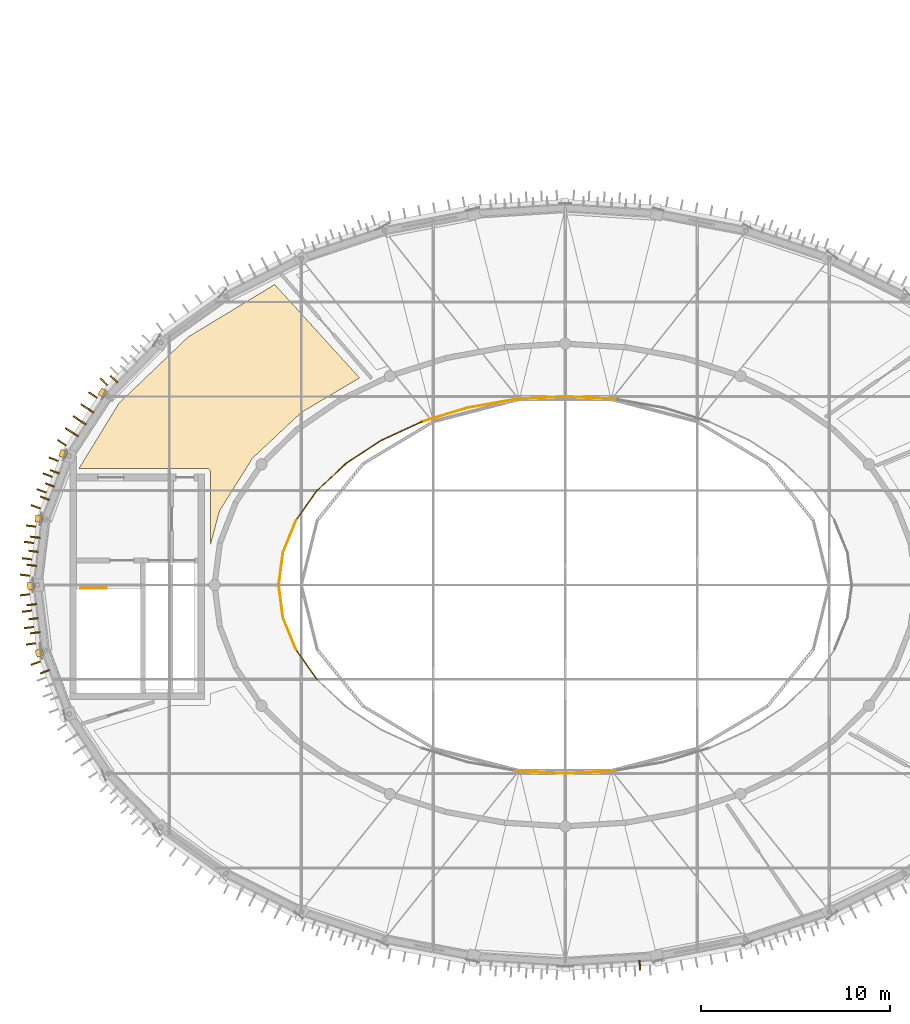
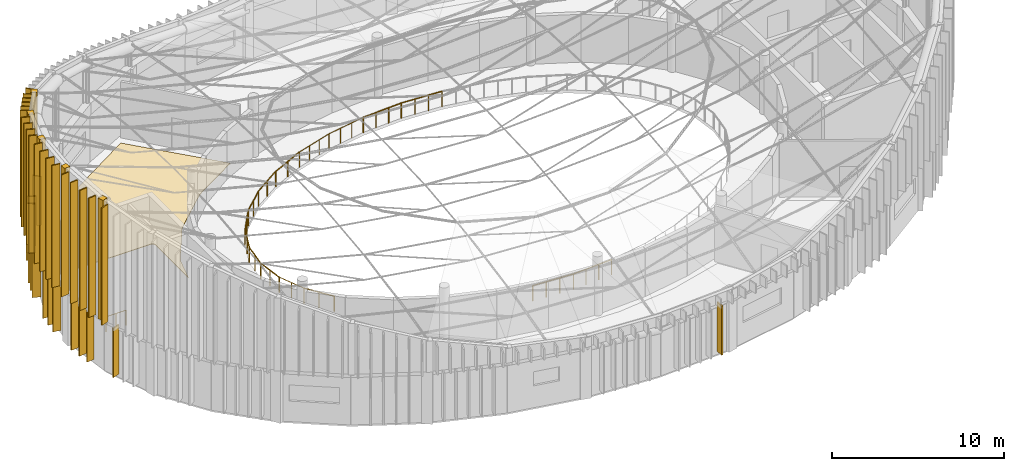
# One storey, part 31 of 36: 34 shading devices, 16 railings, 6 coverings.
"""IFC4 building model written with IfcOpenShell, lengths in metres."""

from ifc_helpers import new_model, si_unit, direction, frame, origin, origin_2d, place, context, subcontext, project, spatial, polyline, rectangle, circle, outline, extrude, material, layer, layer_set, type_object, element, save


model = new_model("IFC4")

# Units and contexts
model_context = context("Model", 3, precision=1e-05, world=origin(), true_north=direction((0.0, 1.0)))
body_context = subcontext(model_context, "Body", "Model", "MODEL_VIEW")
ifc_project = project(units=[si_unit("LENGTHUNIT", "METRE"), si_unit("AREAUNIT", "SQUARE_METRE"), si_unit("VOLUMEUNIT", "CUBIC_METRE"), si_unit("PLANEANGLEUNIT", "RADIAN"), si_unit("MASSUNIT", "GRAM", prefix="KILO")], contexts=[model_context])

# Site, building, storey
site_placement = place(None, origin())
site = spatial("IfcSite", under=ifc_project, at=site_placement, CompositionType="ELEMENT")
building_placement = place(site_placement, origin())
building = spatial("IfcBuilding", under=site, at=building_placement, Name="Tarnveldt Headland Concert Hall", CompositionType="ELEMENT")
storey_placement = place(building_placement, frame((0.0, 0.0, 22.800048828125)))
storey = spatial("IfcBuildingStorey", under=building, at=storey_placement, Name="L05", CompositionType="ELEMENT", Elevation=22.800048828125)

# Coverings
ifc_material_1 = material(Name="Polished coral-aggregate cementitious terrazzo flooring", Category="concrete")
ifc_layer_1 = layer(ifc_material_1, 0.034912109375, Name="Polished coral-aggregate cementitious terrazzo flooring", Category="concrete")
ifc_layer_set_1 = layer_set([ifc_layer_1], Name="Polished coral-aggregate cementitious terrazzo flooring")
covering_type_1 = type_object("IfcCoveringType", Name="CV-FLOR35", PredefinedType="FLOORING", material=ifc_layer_set_1)
covering_1_placement = place(storey_placement, origin())
element("IfcCovering", 1, at=covering_1_placement, inside=storey, type_object=covering_type_1, Name="Architectural flooring L05-09-134", PredefinedType="FLOORING", context=body_context, shape_type="SweptSolid", body=[
    extrude(outline(polyline([(68.0888671875, 70.435546875), (72.593505859375, 65.4853515625), (69.512451171875, 63.6572265625), (69.49609375, 63.646240234375), (69.481201171875, 63.633544921875), (66.99560546875, 61.300048828125), (66.991943359375, 61.300048828125), (66.991943359375, 61.296630859375), (66.92236328125, 61.231201171875), (66.91162109375, 61.22021484375), (66.901611328125, 61.208251953125), (66.892822265625, 61.195556640625), (65.177490234375, 58.454833984375), (65.1689453125, 58.439208984375), (65.161865234375, 58.422607421875), (65.15625, 58.40576171875), (64.679931640625, 56.620361328125), (64.679931640625, 60.5), (64.67919921875, 60.517578125), (64.676513671875, 60.53515625), (64.672119140625, 60.55224609375), (64.666259765625, 60.56884765625), (64.65869140625, 60.5849609375), (64.649658203125, 60.60009765625), (64.63916015625, 60.6142578125), (64.627197265625, 60.627197265625), (64.6142578125, 60.63916015625), (64.60009765625, 60.649658203125), (64.5849609375, 60.65869140625), (64.56884765625, 60.666259765625), (64.55224609375, 60.672119140625), (64.53515625, 60.676513671875), (64.517578125, 60.67919921875), (64.5, 60.679931640625), (57.706298828125, 60.679931640625), (59.82568359375, 64.135986328125), (63.498046875, 67.6552734375), (68.0888671875, 70.435546875)])), origin(), (0.0, 0.0, 1.0), 0.034912109375),
])
ifc_material_2 = material(Name="Coral-toned precast concrete C40/50", Category="concrete")
ifc_layer_2 = layer(ifc_material_2, 0.360107421875, Name="Coral-toned precast concrete C40/50", Category="concrete")
ifc_layer_set_2 = layer_set([ifc_layer_2], Name="Coral-toned precast concrete C40/50")
covering_type_2 = type_object("IfcCoveringType", Name="CV-JNT360", PredefinedType="CLADDING", material=ifc_layer_set_2)
covering_2_placement = place(storey_placement, frame((55.16259765625, 54.458740234375, 3.7998046875), z_axis=(0.0, 0.0, 1.0), x_axis=(-0.992588631597, -0.121522872021, 0.0)))
element("IfcCovering", 2, at=covering_2_placement, inside=storey, type_object=covering_type_2, Name="Precast facade joint closure pilaster L05-347", PredefinedType="CLADDING", context=body_context, shape_type="SweptSolid", body=[
    extrude(rectangle(XDim=0.3798828125, YDim=0.3798828125, at=origin_2d()), origin(), (0.0, 0.0, 1.0), 8.820068359375),
])
for number, where, z_axis, x_axis, name in (
    (3, (55.607177734375, 50.90771484375, 3.7998046875), (0.0, 0.0, 1.0), (-0.936304939415, -0.35118806988, 0.0), "Precast facade joint closure pilaster L05-348"),
    (4, (55.587890625, 58.014404296875, 3.7998046875), (0.0, 0.0, 1.0), (-0.992588631597, 0.121522872021, 0.0), "Precast facade joint closure pilaster L05-349"),
):
    element("IfcCovering", number, at=place(storey_placement, frame(where, z_axis=z_axis, x_axis=x_axis)), inside=storey, type_object=covering_type_2, Name=name, PredefinedType="CLADDING", context=body_context, shape_type="SweptSolid", body=[
        extrude(rectangle(XDim=0.3798828125, YDim=0.3798828125, at=origin_2d()), origin(), (0.0, 0.0, 1.0), 8.5546875),
    ])
covering_3_placement = place(storey_placement, frame((56.870361328125, 61.459716796875, 3.800048828125), z_axis=(0.0, 0.0, 1.0), x_axis=(-0.936304939415, 0.35118806988, 0.0)))
element("IfcCovering", 5, at=covering_3_placement, inside=storey, type_object=covering_type_2, Name="Precast facade joint closure pilaster L05-350", PredefinedType="CLADDING", context=body_context, shape_type="SweptSolid", body=[
    extrude(rectangle(XDim=0.3798828125, YDim=0.3798828125, at=origin_2d()), origin(), (0.0, 0.0, 1.0), 7.79052734375),
])
covering_4_placement = place(storey_placement, frame((58.966552734375, 64.685791015625, 3.7998046875), z_axis=(0.0, 0.0, 1.0), x_axis=(-0.837337261414, 0.546686665878, 0.0)))
element("IfcCovering", 6, at=covering_4_placement, inside=storey, type_object=covering_type_2, Name="Precast facade joint closure pilaster L05-352", PredefinedType="CLADDING", context=body_context, shape_type="SweptSolid", body=[
    extrude(rectangle(XDim=0.3798828125, YDim=0.3798828125, at=origin_2d()), origin(), (0.0, 0.0, 1.0), 6.6201171875),
])

# Railings
ifc_material_3 = material(Name="Marine stainless steel", Category="steel")
ifc_layer_3 = layer(ifc_material_3, 0.06005859375, Name="Marine stainless steel", Category="steel")
ifc_layer_set_3 = layer_set([ifc_layer_3], Name="Marine stainless steel")
railing_type = type_object("IfcRailingType", Name="RL-GRD110", PredefinedType="GUARDRAIL", material=ifc_layer_set_3)
railing_1_placement = place(storey_placement, frame((57.800048828125, 54.320068359375, 0.0)))
element("IfcRailing", 7, at=railing_1_placement, inside=storey, type_object=railing_type, Name="GUARD STR-C1-L04 top well edge", PredefinedType="GUARDRAIL", context=body_context, shape_type="SweptSolid", body=[
    extrude(circle(Radius=0.02392578125, at=origin_2d()), frame((0.0, 0.0, 1.076171875), z_axis=(1.0, 0.0, 0.0), x_axis=(0.0, 1.0, 0.0)), (0.0, 0.0, 1.0), 1.349853515625),
    extrude(circle(Radius=0.02099609375, at=origin_2d()), origin(), (0.0, 0.0, 1.0), 1.052001953125),
    extrude(circle(Radius=0.02099609375, at=origin_2d()), frame((0.6748046875, 0.0, 0.0)), (0.0, 0.0, 1.0), 1.052001953125),
    extrude(circle(Radius=0.02099609375, at=origin_2d()), frame((1.349853515625, 0.0, 0.0)), (0.0, 0.0, 1.0), 1.052001953125),
])
railing_2_placement = place(storey_placement, frame((86.139404296875, 64.34814453125, 0.0)))
element("IfcRailing", 8, at=railing_2_placement, inside=storey, type_object=railing_type, Name="GUARD Auditorium void guardrail L05 9", PredefinedType="GUARDRAIL", context=body_context, shape_type="SweptSolid", body=[
    extrude(circle(Radius=0.02392578125, at=origin_2d()), frame((0.0, 0.0, 1.076171875), z_axis=(-0.99834901745, 0.057439005536, 0.0), x_axis=(-0.057439005536, -0.99834901745, 0.0)), (0.0, 0.0, 1.0), 2.643798828125),
    extrude(circle(Radius=0.02099609375, at=origin_2d()), origin(), (0.0, 0.0, 1.0), 1.052001953125),
    extrude(circle(Radius=0.02099609375, at=origin_2d()), frame((-0.8798828125, 0.050537109375, 0.0)), (0.0, 0.0, 1.0), 1.052001953125),
    extrude(circle(Radius=0.02099609375, at=origin_2d()), frame((-1.759521484375, 0.101318359375, 0.0)), (0.0, 0.0, 1.0), 1.052001953125),
    extrude(circle(Radius=0.02099609375, at=origin_2d()), frame((-2.639404296875, 0.15185546875, 0.0)), (0.0, 0.0, 1.0), 1.052001953125),
])
railing_3_placement = place(storey_placement, frame((83.5, 64.5, 0.0)))
element("IfcRailing", 9, at=railing_3_placement, inside=storey, type_object=railing_type, Name="GUARD Auditorium void guardrail L05 10", PredefinedType="GUARDRAIL", context=body_context, shape_type="SweptSolid", body=[
    extrude(circle(Radius=0.02392578125, at=origin_2d()), frame((0.0, 0.0, 1.076171875), z_axis=(-0.99834901745, -0.057439005536, 0.0), x_axis=(0.057439005536, -0.99834901745, 0.0)), (0.0, 0.0, 1.0), 2.643798828125),
    extrude(circle(Radius=0.02099609375, at=origin_2d()), origin(), (0.0, 0.0, 1.0), 1.052001953125),
    extrude(circle(Radius=0.02099609375, at=origin_2d()), frame((-0.8798828125, -0.050537109375, 0.0)), (0.0, 0.0, 1.0), 1.052001953125),
    extrude(circle(Radius=0.02099609375, at=origin_2d()), frame((-1.759521484375, -0.101318359375, 0.0)), (0.0, 0.0, 1.0), 1.052001953125),
    extrude(circle(Radius=0.02099609375, at=origin_2d()), frame((-2.639404296875, -0.15185546875, 0.0)), (0.0, 0.0, 1.0), 1.052001953125),
])
railing_4_placement = place(storey_placement, frame((80.860595703125, 64.34814453125, 0.0)))
element("IfcRailing", 10, at=railing_4_placement, inside=storey, type_object=railing_type, Name="GUARD Auditorium void guardrail L05 11", PredefinedType="GUARDRAIL", context=body_context, shape_type="SweptSolid", body=[
    extrude(circle(Radius=0.02392578125, at=origin_2d()), frame((0.0, 0.0, 1.076171875), z_axis=(-0.984814752515, -0.173608476834, 0.0), x_axis=(0.173608476834, -0.984814752515, 0.0)), (0.0, 0.0, 1.0), 2.598876953125),
    extrude(circle(Radius=0.02099609375, at=origin_2d()), origin(), (0.0, 0.0, 1.0), 1.052001953125),
    extrude(circle(Radius=0.02099609375, at=origin_2d()), frame((-0.85302734375, -0.150390625, 0.0)), (0.0, 0.0, 1.0), 1.052001953125),
    extrude(circle(Radius=0.02099609375, at=origin_2d()), frame((-1.706298828125, -0.30078125, 0.0)), (0.0, 0.0, 1.0), 1.052001953125),
    extrude(circle(Radius=0.02099609375, at=origin_2d()), frame((-2.559326171875, -0.451171875, 0.0)), (0.0, 0.0, 1.0), 1.052001953125),
])
railing_5_placement = place(storey_placement, frame((78.30126953125, 63.89697265625, 0.0)))
element("IfcRailing", 11, at=railing_5_placement, inside=storey, type_object=railing_type, Name="GUARD Auditorium void guardrail L05 12", PredefinedType="GUARDRAIL", context=body_context, shape_type="SweptSolid", body=[
    extrude(circle(Radius=0.02392578125, at=origin_2d()), frame((0.0, 0.0, 1.076171875), z_axis=(-0.956037133001, -0.293245631381, 0.0), x_axis=(0.293245631381, -0.956037133001, 0.0)), (0.0, 0.0, 1.0), 2.51171875),
    extrude(circle(Radius=0.02099609375, at=origin_2d()), origin(), (0.0, 0.0, 1.0), 1.052001953125),
    extrude(circle(Radius=0.02099609375, at=origin_2d()), frame((-0.800537109375, -0.24560546875, 0.0)), (0.0, 0.0, 1.0), 1.052001953125),
    extrude(circle(Radius=0.02099609375, at=origin_2d()), frame((-1.600830078125, -0.490966796875, 0.0)), (0.0, 0.0, 1.0), 1.052001953125),
    extrude(circle(Radius=0.02099609375, at=origin_2d()), frame((-2.4013671875, -0.736572265625, 0.0)), (0.0, 0.0, 1.0), 1.052001953125),
])
railing_6_placement = place(storey_placement, frame((75.89990234375, 63.160400390625, 0.0)))
element("IfcRailing", 12, at=railing_6_placement, inside=storey, type_object=railing_type, Name="GUARD Auditorium void guardrail L05 13", PredefinedType="GUARDRAIL", context=body_context, shape_type="SweptSolid", body=[
    extrude(circle(Radius=0.02392578125, at=origin_2d()), frame((0.0, 0.0, 1.076171875), z_axis=(-0.908234283008, -0.418462049854, 0.0), x_axis=(0.418462049854, -0.908234283008, 0.0)), (0.0, 0.0, 1.0), 2.3896484375),
    extrude(circle(Radius=0.02099609375, at=origin_2d()), origin(), (0.0, 0.0, 1.0), 1.052001953125),
    extrude(circle(Radius=0.02099609375, at=origin_2d()), frame((-1.085205078125, -0.5, 0.0)), (0.0, 0.0, 1.0), 1.052001953125),
    extrude(circle(Radius=0.02099609375, at=origin_2d()), frame((-2.17041015625, -1.0, 0.0)), (0.0, 0.0, 1.0), 1.052001953125),
])
railing_7_placement = place(storey_placement, frame((73.7294921875, 62.160400390625, 0.0)))
element("IfcRailing", 13, at=railing_7_placement, inside=storey, type_object=railing_type, Name="GUARD Auditorium void guardrail L05 14", PredefinedType="GUARDRAIL", context=body_context, shape_type="SweptSolid", body=[
    extrude(circle(Radius=0.02392578125, at=origin_2d()), frame((0.0, 0.0, 1.076171875), z_axis=(-0.835418397825, -0.549614501788, 0.0), x_axis=(0.549614501788, -0.835418397825, 0.0)), (0.0, 0.0, 1.0), 2.242431640625),
    extrude(circle(Radius=0.02099609375, at=origin_2d()), origin(), (0.0, 0.0, 1.0), 1.052001953125),
    extrude(circle(Radius=0.02099609375, at=origin_2d()), frame((-0.9365234375, -0.6162109375, 0.0)), (0.0, 0.0, 1.0), 1.052001953125),
    extrude(circle(Radius=0.02099609375, at=origin_2d()), frame((-1.873291015625, -1.232421875, 0.0)), (0.0, 0.0, 1.0), 1.052001953125),
])
railing_8_placement = place(storey_placement, frame((71.856201171875, 60.927978515625, 0.0)))
element("IfcRailing", 14, at=railing_8_placement, inside=storey, type_object=railing_type, Name="GUARD Auditorium void guardrail L05 15", PredefinedType="GUARDRAIL", context=body_context, shape_type="SweptSolid", body=[
    extrude(circle(Radius=0.02392578125, at=origin_2d()), frame((0.0, 0.0, 1.076171875), z_axis=(-0.728773712747, -0.684754609776, 0.0), x_axis=(0.684754609776, -0.728773712747, 0.0)), (0.0, 0.0, 1.0), 2.08544921875),
    extrude(circle(Radius=0.02099609375, at=origin_2d()), origin(), (0.0, 0.0, 1.0), 1.052001953125),
    extrude(circle(Radius=0.02099609375, at=origin_2d()), frame((-0.759765625, -0.7138671875, 0.0)), (0.0, 0.0, 1.0), 1.052001953125),
    extrude(circle(Radius=0.02099609375, at=origin_2d()), frame((-1.519775390625, -1.427978515625, 0.0)), (0.0, 0.0, 1.0), 1.052001953125),
])
railing_9_placement = place(storey_placement, frame((70.33642578125, 59.5, 0.0)))
element("IfcRailing", 15, at=railing_9_placement, inside=storey, type_object=railing_type, Name="GUARD Auditorium void guardrail L05 16", PredefinedType="GUARDRAIL", context=body_context, shape_type="SweptSolid", body=[
    extrude(circle(Radius=0.02392578125, at=origin_2d()), frame((0.0, 0.0, 1.076171875), z_axis=(-0.578216724182, -0.815883214606, 0.0), x_axis=(0.815883214606, -0.578216724182, 0.0)), (0.0, 0.0, 1.0), 1.936279296875),
    extrude(circle(Radius=0.02099609375, at=origin_2d()), origin(), (0.0, 0.0, 1.0), 1.052001953125),
    extrude(circle(Radius=0.02099609375, at=origin_2d()), frame((-0.559814453125, -0.7900390625, 0.0)), (0.0, 0.0, 1.0), 1.052001953125),
    extrude(circle(Radius=0.02099609375, at=origin_2d()), frame((-1.11962890625, -1.579833984375, 0.0)), (0.0, 0.0, 1.0), 1.052001953125),
])
railing_10_placement = place(storey_placement, frame((69.216796875, 57.920166015625, 0.0)))
element("IfcRailing", 16, at=railing_10_placement, inside=storey, type_object=railing_type, Name="GUARD Auditorium void guardrail L05 17", PredefinedType="GUARDRAIL", context=body_context, shape_type="SweptSolid", body=[
    extrude(circle(Radius=0.02392578125, at=origin_2d()), frame((0.0, 0.0, 1.076171875), z_axis=(-0.377241429706, -0.926114951674, 0.0), x_axis=(0.926114951674, -0.377241429706, 0.0)), (0.0, 0.0, 1.0), 1.81787109375),
    extrude(circle(Radius=0.02099609375, at=origin_2d()), origin(), (0.0, 0.0, 1.0), 1.052001953125),
    extrude(circle(Radius=0.02099609375, at=origin_2d()), frame((-0.3427734375, -0.841796875, 0.0)), (0.0, 0.0, 1.0), 1.052001953125),
    extrude(circle(Radius=0.02099609375, at=origin_2d()), frame((-0.685791015625, -1.68359375, 0.0)), (0.0, 0.0, 1.0), 1.052001953125),
])
railing_11_placement = place(storey_placement, frame((68.531005859375, 56.236572265625, 0.0)))
element("IfcRailing", 17, at=railing_11_placement, inside=storey, type_object=railing_type, Name="GUARD Auditorium void guardrail L05 18", PredefinedType="GUARDRAIL", context=body_context, shape_type="SweptSolid", body=[
    extrude(circle(Radius=0.02392578125, at=origin_2d()), frame((0.0, 0.0, 1.076171875), z_axis=(-0.131835089673, -0.991271662629, 0.0), x_axis=(0.991271662629, -0.131835089673, 0.0)), (0.0, 0.0, 1.0), 1.751953125),
    extrude(circle(Radius=0.02099609375, at=origin_2d()), origin(), (0.0, 0.0, 1.0), 1.052001953125),
    extrude(circle(Radius=0.02099609375, at=origin_2d()), frame((-0.115478515625, -0.8681640625, 0.0)), (0.0, 0.0, 1.0), 1.052001953125),
    extrude(circle(Radius=0.02099609375, at=origin_2d()), frame((-0.23095703125, -1.736572265625, 0.0)), (0.0, 0.0, 1.0), 1.052001953125),
])
railing_12_placement = place(storey_placement, frame((68.300048828125, 54.5, 0.0)))
element("IfcRailing", 18, at=railing_12_placement, inside=storey, type_object=railing_type, Name="GUARD Auditorium void guardrail L05 19", PredefinedType="GUARDRAIL", context=body_context, shape_type="SweptSolid", body=[
    extrude(circle(Radius=0.02392578125, at=origin_2d()), frame((0.0, 0.0, 1.076171875), z_axis=(0.131835089673, -0.991271662629, 0.0), x_axis=(0.991271662629, 0.131835089673, 0.0)), (0.0, 0.0, 1.0), 1.751953125),
    extrude(circle(Radius=0.02099609375, at=origin_2d()), origin(), (0.0, 0.0, 1.0), 1.052001953125),
    extrude(circle(Radius=0.02099609375, at=origin_2d()), frame((0.115478515625, -0.8681640625, 0.0)), (0.0, 0.0, 1.0), 1.052001953125),
    extrude(circle(Radius=0.02099609375, at=origin_2d()), frame((0.23095703125, -1.736572265625, 0.0)), (0.0, 0.0, 1.0), 1.052001953125),
])
railing_13_placement = place(storey_placement, frame((68.531005859375, 52.763427734375, 0.0)))
element("IfcRailing", 19, at=railing_13_placement, inside=storey, type_object=railing_type, Name="GUARD Auditorium void guardrail L05 20", PredefinedType="GUARDRAIL", context=body_context, shape_type="SweptSolid", body=[
    extrude(circle(Radius=0.02392578125, at=origin_2d()), frame((0.0, 0.0, 1.076171875), z_axis=(0.377241429706, -0.926114951674, 0.0), x_axis=(0.926114951674, 0.377241429706, 0.0)), (0.0, 0.0, 1.0), 1.81787109375),
    extrude(circle(Radius=0.02099609375, at=origin_2d()), origin(), (0.0, 0.0, 1.0), 1.052001953125),
    extrude(circle(Radius=0.02099609375, at=origin_2d()), frame((0.3427734375, -0.841796875, 0.0)), (0.0, 0.0, 1.0), 1.052001953125),
    extrude(circle(Radius=0.02099609375, at=origin_2d()), frame((0.685791015625, -1.68359375, 0.0)), (0.0, 0.0, 1.0), 1.052001953125),
])
railing_14_placement = place(storey_placement, frame((69.216796875, 51.079833984375, 0.0)))
element("IfcRailing", 20, at=railing_14_placement, inside=storey, type_object=railing_type, Name="GUARD Auditorium void guardrail L05 21", PredefinedType="GUARDRAIL", context=body_context, shape_type="SweptSolid", body=[
    extrude(circle(Radius=0.02392578125, at=origin_2d()), frame((0.0, 0.0, 1.076171875), z_axis=(0.578216724182, -0.815883214606, 0.0), x_axis=(0.815883214606, 0.578216724182, 0.0)), (0.0, 0.0, 1.0), 1.936279296875),
    extrude(circle(Radius=0.02099609375, at=origin_2d()), origin(), (0.0, 0.0, 1.0), 1.052001953125),
    extrude(circle(Radius=0.02099609375, at=origin_2d()), frame((0.559814453125, -0.7900390625, 0.0)), (0.0, 0.0, 1.0), 1.052001953125),
    extrude(circle(Radius=0.02099609375, at=origin_2d()), frame((1.11962890625, -1.579833984375, 0.0)), (0.0, 0.0, 1.0), 1.052001953125),
])
railing_15_placement = place(storey_placement, frame((80.860595703125, 44.65185546875, 0.0)))
element("IfcRailing", 21, at=railing_15_placement, inside=storey, type_object=railing_type, Name="GUARD Auditorium void guardrail L05 27", PredefinedType="GUARDRAIL", context=body_context, shape_type="SweptSolid", body=[
    extrude(circle(Radius=0.02392578125, at=origin_2d()), frame((0.0, 0.0, 1.076171875), z_axis=(0.99834901745, -0.057439005536, 0.0), x_axis=(0.057439005536, 0.99834901745, 0.0)), (0.0, 0.0, 1.0), 2.643798828125),
    extrude(circle(Radius=0.02099609375, at=origin_2d()), origin(), (0.0, 0.0, 1.0), 1.052001953125),
    extrude(circle(Radius=0.02099609375, at=origin_2d()), frame((0.8798828125, -0.050537109375, 0.0)), (0.0, 0.0, 1.0), 1.052001953125),
    extrude(circle(Radius=0.02099609375, at=origin_2d()), frame((1.759521484375, -0.101318359375, 0.0)), (0.0, 0.0, 1.0), 1.052001953125),
    extrude(circle(Radius=0.02099609375, at=origin_2d()), frame((2.639404296875, -0.15185546875, 0.0)), (0.0, 0.0, 1.0), 1.052001953125),
])
railing_16_placement = place(storey_placement, frame((83.5, 44.5, 0.0)))
element("IfcRailing", 22, at=railing_16_placement, inside=storey, type_object=railing_type, Name="GUARD Auditorium void guardrail L05 28", PredefinedType="GUARDRAIL", context=body_context, shape_type="SweptSolid", body=[
    extrude(circle(Radius=0.02392578125, at=origin_2d()), frame((0.0, 0.0, 1.076171875), z_axis=(0.99834901745, 0.057439005536, 0.0), x_axis=(-0.057439005536, 0.99834901745, 0.0)), (0.0, 0.0, 1.0), 2.643798828125),
    extrude(circle(Radius=0.02099609375, at=origin_2d()), origin(), (0.0, 0.0, 1.0), 1.052001953125),
    extrude(circle(Radius=0.02099609375, at=origin_2d()), frame((0.8798828125, 0.050537109375, 0.0)), (0.0, 0.0, 1.0), 1.052001953125),
    extrude(circle(Radius=0.02099609375, at=origin_2d()), frame((1.759521484375, 0.101318359375, 0.0)), (0.0, 0.0, 1.0), 1.052001953125),
    extrude(circle(Radius=0.02099609375, at=origin_2d()), frame((2.639404296875, 0.15185546875, 0.0)), (0.0, 0.0, 1.0), 1.052001953125),
])

# Shading devices
ifc_material_4 = material(Name="Terracotta-anodised aluminium EN AW-6063-T6", Category="masonry")
shading_device_type = type_object("IfcShadingDeviceType", Name="SD-FIN520", PredefinedType="USERDEFINED", material=ifc_material_4)
for number, where, z_axis, x_axis, name in (
    (23, (59.5654296875, 65.416748046875, 0.25), (0.0, 0.0, 1.0), (-0.714106238843, 0.700037341608, 0.0), "Drum terracotta acoustic solar fin L05-248"),
    (24, (58.2802734375, 63.7763671875, 0.25), (0.0, 0.0, 1.0), (-0.837337261414, 0.546686665878, 0.0), "Drum terracotta acoustic solar fin L05-249"),
    (25, (57.870361328125, 63.1484375, 0.25), (0.0, 0.0, 1.0), (-0.837337261414, 0.546686665878, 0.0), "Drum terracotta acoustic solar fin L05-250"),
    (26, (57.46044921875, 62.5205078125, 0.25), (0.0, 0.0, 1.0), (-0.837337261414, 0.546686665878, 0.0), "Drum terracotta acoustic solar fin L05-251"),
    (27, (56.429443359375, 60.505615234375, 0.25), (0.0, 0.0, 1.0), (-0.936304939415, 0.35118806988, 0.0), "Drum terracotta acoustic solar fin L05-252"),
    (28, (56.166015625, 59.80322265625, 0.25), (0.0, 0.0, 1.0), (-0.936304939415, 0.35118806988, 0.0), "Drum terracotta acoustic solar fin L05-253"),
    (29, (55.902587890625, 59.10107421875, 0.25), (0.0, 0.0, 1.0), (-0.936304939415, 0.35118806988, 0.0), "Drum terracotta acoustic solar fin L05-254"),
    (30, (55.389404296875, 57.03173828125, 0.25), (0.0, 0.0, 1.0), (-0.992588631597, 0.121522872021, 0.0), "Drum terracotta acoustic solar fin L05-255"),
    (31, (55.29833984375, 56.287353515625, 0.25), (0.0, 0.0, 1.0), (-0.992588631597, 0.121522872021, 0.0), "Drum terracotta acoustic solar fin L05-256"),
    (32, (55.20703125, 55.542724609375, 0.25), (0.0, 0.0, 1.0), (-0.992588631597, 0.121522872021, 0.0), "Drum terracotta acoustic solar fin L05-257"),
    (33, (55.20703125, 53.457275390625, 0.25), (0.0, 0.0, 1.0), (-0.992588631597, -0.121522872021, 0.0), "Drum terracotta acoustic solar fin L05-258"),
    (34, (55.29833984375, 52.712646484375, 0.25), (0.0, 0.0, 1.0), (-0.992588631597, -0.121522872021, 0.0), "Drum terracotta acoustic solar fin L05-259"),
    (35, (55.389404296875, 51.96826171875, 0.25), (0.0, 0.0, 1.0), (-0.992588631597, -0.121522872021, 0.0), "Drum terracotta acoustic solar fin L05-260"),
    (36, (55.902587890625, 49.89892578125, 0.25), (0.0, 0.0, 1.0), (-0.936304939415, -0.35118806988, 0.0), "Drum terracotta acoustic solar fin L05-261"),
    (37, (87.4541015625, 34.328857421875, 0.25), (0.0, 0.0, 1.0), (0.062442138662, -0.998048585651, 0.0), "Drum terracotta acoustic solar fin L05-289"),
):
    element("IfcShadingDevice", number, at=place(storey_placement, frame(where, z_axis=z_axis, x_axis=x_axis)), inside=storey, type_object=shading_device_type, Name=name, ObjectType="FIN", PredefinedType="USERDEFINED", context=body_context, shape_type="SweptSolid", body=[
        extrude(rectangle(XDim=0.52001953125, YDim=0.080078125, at=origin_2d()), origin(), (0.0, 0.0, 1.0), 3.5),
    ])
shading_device_1_placement = place(storey_placement, frame((59.020751953125, 65.2861328125, 3.85009765625), z_axis=(0.0, 0.0, 1.0), x_axis=(-0.714106238843, 0.700037341608, 0.0)))
element("IfcShadingDevice", 38, at=shading_device_1_placement, inside=storey, type_object=shading_device_type, Name="Crown terracotta louvre fin 15-5", ObjectType="FIN", PredefinedType="USERDEFINED", context=body_context, shape_type="SweptSolid", body=[
    extrude(rectangle(XDim=0.52001953125, YDim=0.080078125, at=origin_2d()), origin(), (0.0, 0.0, 1.0), 6.346435546875),
])
shading_device_2_placement = place(storey_placement, frame((58.4462890625, 64.574951171875, 3.85009765625), z_axis=(0.0, 0.0, 1.0), x_axis=(-0.837337261414, 0.546686665878, 0.0)))
element("IfcShadingDevice", 39, at=shading_device_2_placement, inside=storey, type_object=shading_device_type, Name="Crown terracotta louvre fin 16-1", ObjectType="FIN", PredefinedType="USERDEFINED", context=body_context, shape_type="SweptSolid", body=[
    extrude(rectangle(XDim=0.52001953125, YDim=0.080078125, at=origin_2d()), origin(), (0.0, 0.0, 1.0), 6.607177734375),
])
shading_device_3_placement = place(storey_placement, frame((58.03369140625, 63.943115234375, 3.849853515625), z_axis=(0.0, 0.0, 1.0), x_axis=(-0.837337261414, 0.546686665878, 0.0)))
element("IfcShadingDevice", 40, at=shading_device_3_placement, inside=storey, type_object=shading_device_type, Name="Crown terracotta louvre fin 16-2", ObjectType="FIN", PredefinedType="USERDEFINED", context=body_context, shape_type="SweptSolid", body=[
    extrude(rectangle(XDim=0.52001953125, YDim=0.080078125, at=origin_2d()), origin(), (0.0, 0.0, 1.0), 6.84130859375),
])
shading_device_4_placement = place(storey_placement, frame((57.62109375, 63.31103515625, 3.849853515625), z_axis=(0.0, 0.0, 1.0), x_axis=(-0.837337261414, 0.546686665878, 0.0)))
element("IfcShadingDevice", 41, at=shading_device_4_placement, inside=storey, type_object=shading_device_type, Name="Crown terracotta louvre fin 16-3", ObjectType="FIN", PredefinedType="USERDEFINED", context=body_context, shape_type="SweptSolid", body=[
    extrude(rectangle(XDim=0.52001953125, YDim=0.080078125, at=origin_2d()), origin(), (0.0, 0.0, 1.0), 7.0751953125),
])
shading_device_5_placement = place(storey_placement, frame((57.208740234375, 62.67919921875, 3.85009765625), z_axis=(0.0, 0.0, 1.0), x_axis=(-0.837337261414, 0.546686665878, 0.0)))
element("IfcShadingDevice", 42, at=shading_device_5_placement, inside=storey, type_object=shading_device_type, Name="Crown terracotta louvre fin 16-4", ObjectType="FIN", PredefinedType="USERDEFINED", context=body_context, shape_type="SweptSolid", body=[
    extrude(rectangle(XDim=0.52001953125, YDim=0.080078125, at=origin_2d()), origin(), (0.0, 0.0, 1.0), 7.309326171875),
])
shading_device_6_placement = place(storey_placement, frame((56.796142578125, 62.04736328125, 3.849853515625), z_axis=(0.0, 0.0, 1.0), x_axis=(-0.837337261414, 0.546686665878, 0.0)))
element("IfcShadingDevice", 43, at=shading_device_6_placement, inside=storey, type_object=shading_device_type, Name="Crown terracotta louvre fin 16-5", ObjectType="FIN", PredefinedType="USERDEFINED", context=body_context, shape_type="SweptSolid", body=[
    extrude(rectangle(XDim=0.52001953125, YDim=0.080078125, at=origin_2d()), origin(), (0.0, 0.0, 1.0), 7.54345703125),
])
shading_device_7_placement = place(storey_placement, frame((56.361328125, 61.170654296875, 3.85009765625), z_axis=(0.0, 0.0, 1.0), x_axis=(-0.936304939415, 0.35118806988, 0.0)))
element("IfcShadingDevice", 44, at=shading_device_7_placement, inside=storey, type_object=shading_device_type, Name="Crown terracotta louvre fin 17-1", ObjectType="FIN", PredefinedType="USERDEFINED", context=body_context, shape_type="SweptSolid", body=[
    extrude(rectangle(XDim=0.52001953125, YDim=0.080078125, at=origin_2d()), origin(), (0.0, 0.0, 1.0), 7.756103515625),
])
shading_device_8_placement = place(storey_placement, frame((56.04541015625, 60.32861328125, 3.85009765625), z_axis=(0.0, 0.0, 1.0), x_axis=(-0.936304939415, 0.35118806988, 0.0)))
element("IfcShadingDevice", 45, at=shading_device_8_placement, inside=storey, type_object=shading_device_type, Name="Crown terracotta louvre fin 17-2", ObjectType="FIN", PredefinedType="USERDEFINED", context=body_context, shape_type="SweptSolid", body=[
    extrude(rectangle(XDim=0.52001953125, YDim=0.080078125, at=origin_2d()), origin(), (0.0, 0.0, 1.0), 7.947021484375),
])
shading_device_9_placement = place(storey_placement, frame((55.729736328125, 59.48681640625, 3.849853515625), z_axis=(0.0, 0.0, 1.0), x_axis=(-0.936304939415, 0.35118806988, 0.0)))
element("IfcShadingDevice", 46, at=shading_device_9_placement, inside=storey, type_object=shading_device_type, Name="Crown terracotta louvre fin 17-3", ObjectType="FIN", PredefinedType="USERDEFINED", context=body_context, shape_type="SweptSolid", body=[
    extrude(rectangle(XDim=0.52001953125, YDim=0.080078125, at=origin_2d()), origin(), (0.0, 0.0, 1.0), 8.13818359375),
])
shading_device_10_placement = place(storey_placement, frame((55.413818359375, 58.64501953125, 3.849853515625), z_axis=(0.0, 0.0, 1.0), x_axis=(-0.936304939415, 0.35118806988, 0.0)))
element("IfcShadingDevice", 47, at=shading_device_10_placement, inside=storey, type_object=shading_device_type, Name="Crown terracotta louvre fin 17-4", ObjectType="FIN", PredefinedType="USERDEFINED", context=body_context, shape_type="SweptSolid", body=[
    extrude(rectangle(XDim=0.52001953125, YDim=0.080078125, at=origin_2d()), origin(), (0.0, 0.0, 1.0), 8.3291015625),
])
shading_device_11_placement = place(storey_placement, frame((55.16259765625, 57.625732421875, 3.85009765625), z_axis=(0.0, 0.0, 1.0), x_axis=(-0.992588631597, 0.121522872021, 0.0)))
element("IfcShadingDevice", 48, at=shading_device_11_placement, inside=storey, type_object=shading_device_type, Name="Crown terracotta louvre fin 18-1", ObjectType="FIN", PredefinedType="USERDEFINED", context=body_context, shape_type="SweptSolid", body=[
    extrude(rectangle(XDim=0.52001953125, YDim=0.080078125, at=origin_2d()), origin(), (0.0, 0.0, 1.0), 8.457763671875),
])
shading_device_12_placement = place(storey_placement, frame((55.05615234375, 56.757568359375, 3.85009765625), z_axis=(0.0, 0.0, 1.0), x_axis=(-0.992588631597, 0.121522872021, 0.0)))
element("IfcShadingDevice", 49, at=shading_device_12_placement, inside=storey, type_object=shading_device_type, Name="Crown terracotta louvre fin 18-2", ObjectType="FIN", PredefinedType="USERDEFINED", context=body_context, shape_type="SweptSolid", body=[
    extrude(rectangle(XDim=0.52001953125, YDim=0.080078125, at=origin_2d()), origin(), (0.0, 0.0, 1.0), 8.524169921875),
])
shading_device_13_placement = place(storey_placement, frame((54.94970703125, 55.889404296875, 3.85009765625), z_axis=(0.0, 0.0, 1.0), x_axis=(-0.992588631597, 0.121522872021, 0.0)))
element("IfcShadingDevice", 50, at=shading_device_13_placement, inside=storey, type_object=shading_device_type, Name="Crown terracotta louvre fin 18-3", ObjectType="FIN", PredefinedType="USERDEFINED", context=body_context, shape_type="SweptSolid", body=[
    extrude(rectangle(XDim=0.52001953125, YDim=0.080078125, at=origin_2d()), origin(), (0.0, 0.0, 1.0), 8.590576171875),
])
for number, where, z_axis, x_axis, name in (
    (51, (54.843505859375, 55.02099609375, 3.85009765625), (0.0, 0.0, 1.0), (-0.992588631597, 0.121522872021, 0.0), "Crown terracotta louvre fin 18-4"),
    (52, (54.843505859375, 53.97900390625, 3.85009765625), (0.0, 0.0, 1.0), (-0.992588631597, -0.121522872021, 0.0), "Crown terracotta louvre fin 19-1"),
):
    element("IfcShadingDevice", number, at=place(storey_placement, frame(where, z_axis=z_axis, x_axis=x_axis)), inside=storey, type_object=shading_device_type, Name=name, ObjectType="FIN", PredefinedType="USERDEFINED", context=body_context, shape_type="SweptSolid", body=[
        extrude(rectangle(XDim=0.52001953125, YDim=0.080078125, at=origin_2d()), origin(), (0.0, 0.0, 1.0), 8.65673828125),
    ])
shading_device_14_placement = place(storey_placement, frame((54.94970703125, 53.110595703125, 3.85009765625), z_axis=(0.0, 0.0, 1.0), x_axis=(-0.992588631597, -0.121522872021, 0.0)))
element("IfcShadingDevice", 53, at=shading_device_14_placement, inside=storey, type_object=shading_device_type, Name="Crown terracotta louvre fin 19-2", ObjectType="FIN", PredefinedType="USERDEFINED", context=body_context, shape_type="SweptSolid", body=[
    extrude(rectangle(XDim=0.52001953125, YDim=0.080078125, at=origin_2d()), origin(), (0.0, 0.0, 1.0), 8.590576171875),
])
shading_device_15_placement = place(storey_placement, frame((55.05615234375, 52.242431640625, 3.85009765625), z_axis=(0.0, 0.0, 1.0), x_axis=(-0.992588631597, -0.121522872021, 0.0)))
element("IfcShadingDevice", 54, at=shading_device_15_placement, inside=storey, type_object=shading_device_type, Name="Crown terracotta louvre fin 19-3", ObjectType="FIN", PredefinedType="USERDEFINED", context=body_context, shape_type="SweptSolid", body=[
    extrude(rectangle(XDim=0.52001953125, YDim=0.080078125, at=origin_2d()), origin(), (0.0, 0.0, 1.0), 8.524169921875),
])
shading_device_16_placement = place(storey_placement, frame((55.16259765625, 51.374267578125, 3.85009765625), z_axis=(0.0, 0.0, 1.0), x_axis=(-0.992588631597, -0.121522872021, 0.0)))
element("IfcShadingDevice", 55, at=shading_device_16_placement, inside=storey, type_object=shading_device_type, Name="Crown terracotta louvre fin 19-4", ObjectType="FIN", PredefinedType="USERDEFINED", context=body_context, shape_type="SweptSolid", body=[
    extrude(rectangle(XDim=0.52001953125, YDim=0.080078125, at=origin_2d()), origin(), (0.0, 0.0, 1.0), 8.457763671875),
])
shading_device_17_placement = place(storey_placement, frame((55.413818359375, 50.35498046875, 3.849853515625), z_axis=(0.0, 0.0, 1.0), x_axis=(-0.936304939415, -0.35118806988, 0.0)))
element("IfcShadingDevice", 56, at=shading_device_17_placement, inside=storey, type_object=shading_device_type, Name="Crown terracotta louvre fin 20-1", ObjectType="FIN", PredefinedType="USERDEFINED", context=body_context, shape_type="SweptSolid", body=[
    extrude(rectangle(XDim=0.52001953125, YDim=0.080078125, at=origin_2d()), origin(), (0.0, 0.0, 1.0), 8.3291015625),
])

save(model, "model.ifc")
